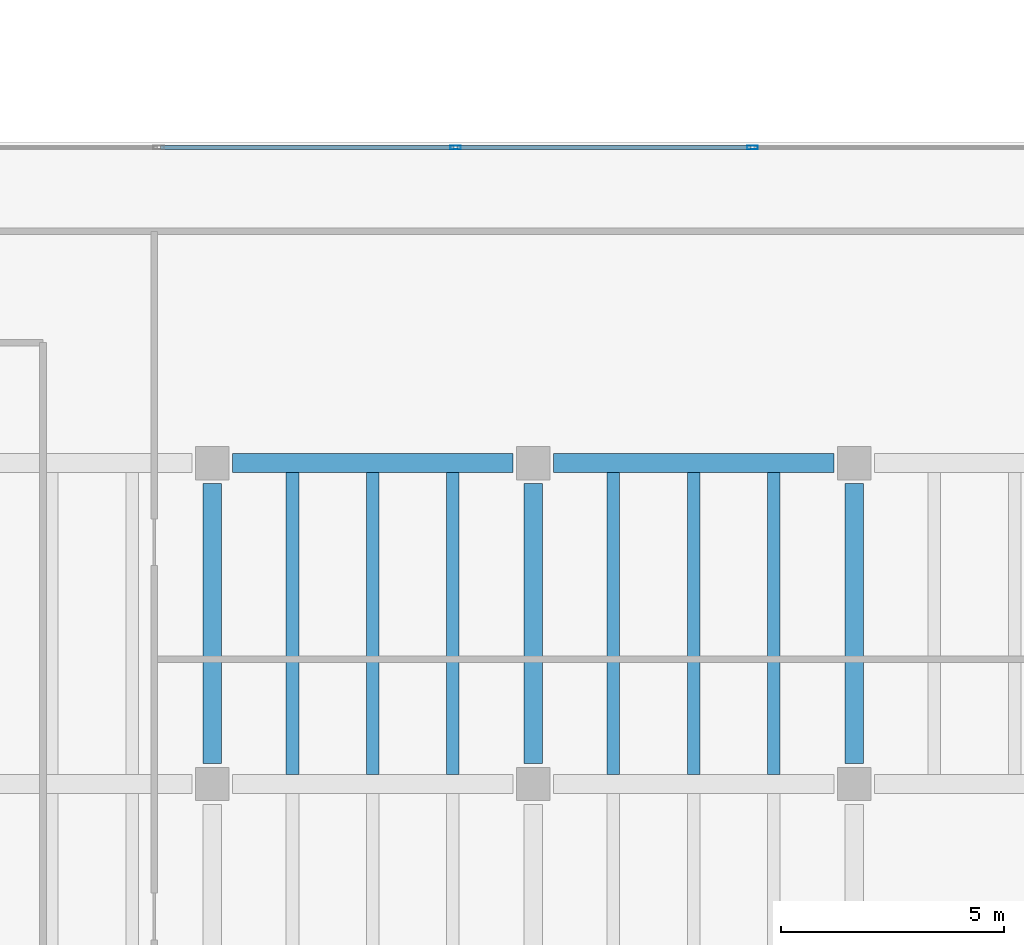
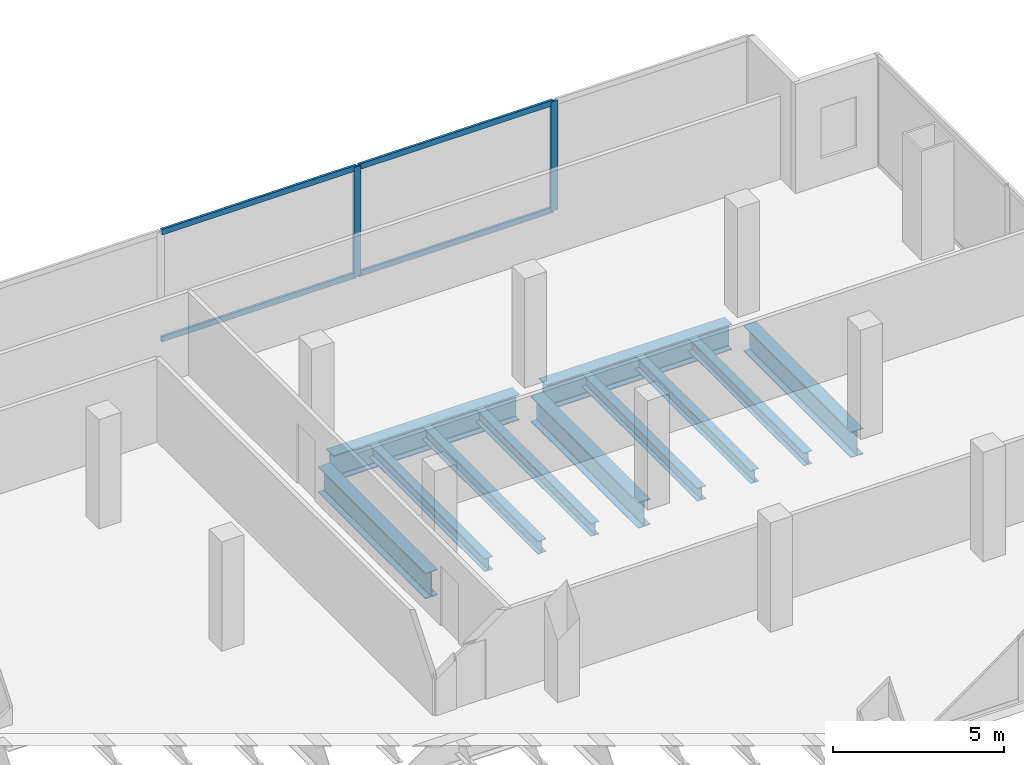
# One storey, part 19 of 28: 11 beams, 6 members, 1 element without a shape of its own.
"""IFC4 building model written with IfcOpenShell, lengths in metres."""

from ifc_helpers import new_model, si_unit, direction, frame, origin, origin_2d, place, context, subcontext, project, spatial, hollow_rectangle, i_section, extrude, material, material_profile, profile_set, type_object, element, aggregate, save


model = new_model("IFC4")

# Units and contexts
model_context = context("Model", 3, precision=1e-05, world=origin(), true_north=direction((0.0, 1.0)))
body_context = subcontext(model_context, "Body", "Model", "MODEL_VIEW")
ifc_project = project(units=[si_unit("LENGTHUNIT", "METRE"), si_unit("AREAUNIT", "SQUARE_METRE"), si_unit("VOLUMEUNIT", "CUBIC_METRE"), si_unit("PLANEANGLEUNIT", "RADIAN"), si_unit("MASSUNIT", "GRAM", prefix="KILO")], contexts=[model_context])

# Site, building, storey
site_placement = place(None, origin())
site = spatial("IfcSite", under=ifc_project, at=site_placement, CompositionType="ELEMENT")
building_placement = place(site_placement, origin())
building = spatial("IfcBuilding", under=site, at=building_placement, Name="Cobrela Telecom Tower", CompositionType="ELEMENT")
storey_placement = place(building_placement, frame((0.0, 0.0, 17.85009765625)))
storey = spatial("IfcBuildingStorey", under=building, at=storey_placement, Name="L04", CompositionType="ELEMENT", Elevation=17.85009765625)

# Beams
ifc_material_1 = material(Name="Steel ASTM A992 Grade 50", Category="steel")
ifc_material_profile_1 = material_profile(ifc_material_1, i_section(OverallWidth=0.4189453125, OverallDepth=0.927001953125, WebThickness=0.019287109375, FlangeThickness=0.031982421875, FilletRadius=0.02392578125, at=origin_2d()), Name="W36X231")
ifc_profile_set_1 = profile_set([ifc_material_profile_1], Name="Steel ASTM A992 Grade 50")
beam_type_1 = type_object("IfcBeamType", Name="BM-GIRD-02", PredefinedType="USERDEFINED", material=ifc_profile_set_1)
for number, where, z_axis, x_axis, name in (
    (1, (65.2548828125, 21.60009765625, -0.753662109375), (1.0, 0.0, 0.0), (0.0, 1.0, 0.0), "L04 Primary Girder X35"),
    (2, (72.455078125, 21.60009765625, -0.753662109375), (1.0, 0.0, 0.0), (0.0, 1.0, 0.0), "L04 Primary Girder X36"),
    (3, (64.800048828125, 14.85498046875, -0.753662109375), (0.0, 1.0, 0.0), (-1.0, 0.0, 0.0), "L04 Primary Girder Y93"),
    (4, (72.0, 14.85498046875, -0.753662109375), (0.0, 1.0, 0.0), (-1.0, 0.0, 0.0), "L04 Primary Girder Y96"),
    (5, (79.199951171875, 14.85498046875, -0.753662109375), (0.0, 1.0, 0.0), (-1.0, 0.0, 0.0), "L04 Primary Girder Y99"),
):
    element("IfcBeam", number, at=place(storey_placement, frame(where, z_axis=z_axis, x_axis=x_axis)), inside=storey, type_object=beam_type_1, Name=name, ObjectType="GIRDER", PredefinedType="USERDEFINED", context=body_context, shape_type="SweptSolid", body=[
        extrude(i_section(OverallWidth=0.4189453125, OverallDepth=0.927001953125, WebThickness=0.019287109375, FlangeThickness=0.031982421875, FilletRadius=0.02392578125, at=origin_2d()), origin(), (0.0, 0.0, 1.0), 6.2900390625),
    ])
ifc_material_profile_2 = material_profile(ifc_material_1, i_section(OverallWidth=0.281982421875, OverallDepth=0.467041015625, WebThickness=0.01220703125, FlangeThickness=0.01953125, FilletRadius=0.012939453125, at=origin_2d()), Name="W18X86")
ifc_profile_set_2 = profile_set([ifc_material_profile_2], Name="Steel ASTM A992 Grade 50")
beam_type_2 = type_object("IfcBeamType", Name="BM-JOIST-02", PredefinedType="JOIST", material=ifc_profile_set_2)
for number, where, z_axis, x_axis, name in (
    (6, (66.60009765625, 14.614501953125, -0.523681640625), (0.0, 1.0, 0.0), (-1.0, 0.0, 0.0), "L04 Secondary Composite Floor Beam J120"),
    (7, (68.39990234375, 14.614501953125, -0.523681640625), (0.0, 1.0, 0.0), (-1.0, 0.0, 0.0), "L04 Secondary Composite Floor Beam J123"),
    (8, (70.199951171875, 14.614501953125, -0.523681640625), (0.0, 1.0, 0.0), (-1.0, 0.0, 0.0), "L04 Secondary Composite Floor Beam J126"),
    (9, (73.800048828125, 14.614501953125, -0.523681640625), (0.0, 1.0, 0.0), (-1.0, 0.0, 0.0), "L04 Secondary Composite Floor Beam J129"),
    (10, (75.60009765625, 14.614501953125, -0.523681640625), (0.0, 1.0, 0.0), (-1.0, 0.0, 0.0), "L04 Secondary Composite Floor Beam J132"),
    (11, (77.39990234375, 14.614501953125, -0.523681640625), (0.0, 1.0, 0.0), (-1.0, 0.0, 0.0), "L04 Secondary Composite Floor Beam J135"),
):
    element("IfcBeam", number, at=place(storey_placement, frame(where, z_axis=z_axis, x_axis=x_axis)), inside=storey, type_object=beam_type_2, Name=name, PredefinedType="JOIST", context=body_context, shape_type="SweptSolid", body=[
        extrude(i_section(OverallWidth=0.281982421875, OverallDepth=0.467041015625, WebThickness=0.01220703125, FlangeThickness=0.01953125, FilletRadius=0.012939453125, at=origin_2d()), origin(), (0.0, 0.0, 1.0), 6.77099609375),
    ])

# Curtain wall, members
ifc_material_2 = material(Name="Anodized Bronze Aluminium 6063-T6", Category="aluminium")
curtain_wall_type = type_object("IfcCurtainWallType", Name="CW-SYS-CONC", PredefinedType="USERDEFINED", material=ifc_material_2)
curtain_wall_placement = place(storey_placement, origin())
curtain_wall = element("IfcCurtainWall", 12, at=curtain_wall_placement, inside=storey, type_object=curtain_wall_type, Name="L04 Unitised Bronze Curtain Wall 11", ObjectType="UNITISED CURTAIN WALL", PredefinedType="USERDEFINED")
ifc_material_profile_3 = material_profile(ifc_material_2, hollow_rectangle(XDim=0.080078125, YDim=0.239990234375, WallThickness=0.0048828125, at=origin_2d()), Name="ALU 80x240x5")
ifc_profile_set_3 = profile_set([ifc_material_profile_3], Name="Anodized Bronze Aluminium 6063-T6")
member_type_1 = type_object("IfcMemberType", Name="CW-SYS-CONC-MUL", PredefinedType="MULLION", material=ifc_profile_set_3)
member_1_placement = place(storey_placement, frame((70.260009765625, 28.679931640625, 0.0), z_axis=(0.0, 0.0, 1.0), x_axis=(0.0, 1.0, 0.0)))
member_1 = element("IfcMember", 13, at=member_1_placement, type_object=member_type_1, Name="CW-CONC mullion 4", PredefinedType="MULLION", context=body_context, shape_type="SweptSolid", body=[
    extrude(hollow_rectangle(XDim=0.080078125, YDim=0.239990234375, WallThickness=0.0048828125, at=origin_2d()), origin(), (0.0, 0.0, 1.0), 3.909912109375),
])
member_2_placement = place(storey_placement, frame((76.919921875, 28.679931640625, 0.0), z_axis=(0.0, 0.0, 1.0), x_axis=(0.0, 1.0, 0.0)))
member_2 = element("IfcMember", 14, at=member_2_placement, type_object=member_type_1, Name="CW-CONC mullion 5", PredefinedType="MULLION", context=body_context, shape_type="SweptSolid", body=[
    extrude(hollow_rectangle(XDim=0.080078125, YDim=0.239990234375, WallThickness=0.0048828125, at=origin_2d()), origin(), (0.0, 0.0, 1.0), 3.909912109375),
])
ifc_material_profile_4 = material_profile(ifc_material_2, hollow_rectangle(XDim=0.080078125, YDim=0.199951171875, WallThickness=0.00390625, at=origin_2d()), Name="ALU 80x200x4")
ifc_profile_set_4 = profile_set([ifc_material_profile_4], Name="Anodized Bronze Aluminium 6063-T6")
member_type_2 = type_object("IfcMemberType", Name="CW-SYS-CONC-TRN", PredefinedType="USERDEFINED", material=ifc_profile_set_4)
member_3_placement = place(storey_placement, frame((63.639892578125, 28.679931640625, 0.039794921875), z_axis=(1.0, 0.0, 0.0), x_axis=(0.0, 1.0, 0.0)))
member_3 = element("IfcMember", 15, at=member_3_placement, type_object=member_type_2, Name="CW-CONC transom 3.1", ObjectType="TRANSOM", PredefinedType="USERDEFINED", context=body_context, shape_type="SweptSolid", body=[
    extrude(hollow_rectangle(XDim=0.080078125, YDim=0.199951171875, WallThickness=0.00390625, at=origin_2d()), origin(), (0.0, 0.0, 1.0), 6.580078125),
])
member_4_placement = place(storey_placement, frame((63.639892578125, 28.679931640625, 3.869873046875), z_axis=(1.0, 0.0, 0.0), x_axis=(0.0, 1.0, 0.0)))
member_4 = element("IfcMember", 16, at=member_4_placement, type_object=member_type_2, Name="CW-CONC transom 3.2", ObjectType="TRANSOM", PredefinedType="USERDEFINED", context=body_context, shape_type="SweptSolid", body=[
    extrude(hollow_rectangle(XDim=0.080078125, YDim=0.199951171875, WallThickness=0.00390625, at=origin_2d()), origin(), (0.0, 0.0, 1.0), 6.580078125),
])
member_5_placement = place(storey_placement, frame((70.300048828125, 28.679931640625, 0.039794921875), z_axis=(1.0, 0.0, 0.0), x_axis=(0.0, 1.0, 0.0)))
member_5 = element("IfcMember", 17, at=member_5_placement, type_object=member_type_2, Name="CW-CONC transom 4.1", ObjectType="TRANSOM", PredefinedType="USERDEFINED", context=body_context, shape_type="SweptSolid", body=[
    extrude(hollow_rectangle(XDim=0.080078125, YDim=0.199951171875, WallThickness=0.00390625, at=origin_2d()), origin(), (0.0, 0.0, 1.0), 6.579833984375),
])
member_6_placement = place(storey_placement, frame((70.300048828125, 28.679931640625, 3.869873046875), z_axis=(1.0, 0.0, 0.0), x_axis=(0.0, 1.0, 0.0)))
member_6 = element("IfcMember", 18, at=member_6_placement, type_object=member_type_2, Name="CW-CONC transom 4.2", ObjectType="TRANSOM", PredefinedType="USERDEFINED", context=body_context, shape_type="SweptSolid", body=[
    extrude(hollow_rectangle(XDim=0.080078125, YDim=0.199951171875, WallThickness=0.00390625, at=origin_2d()), origin(), (0.0, 0.0, 1.0), 6.579833984375),
])
aggregate(curtain_wall, [member_1, member_2, member_3, member_4, member_5, member_6])

save(model, "model.ifc")
